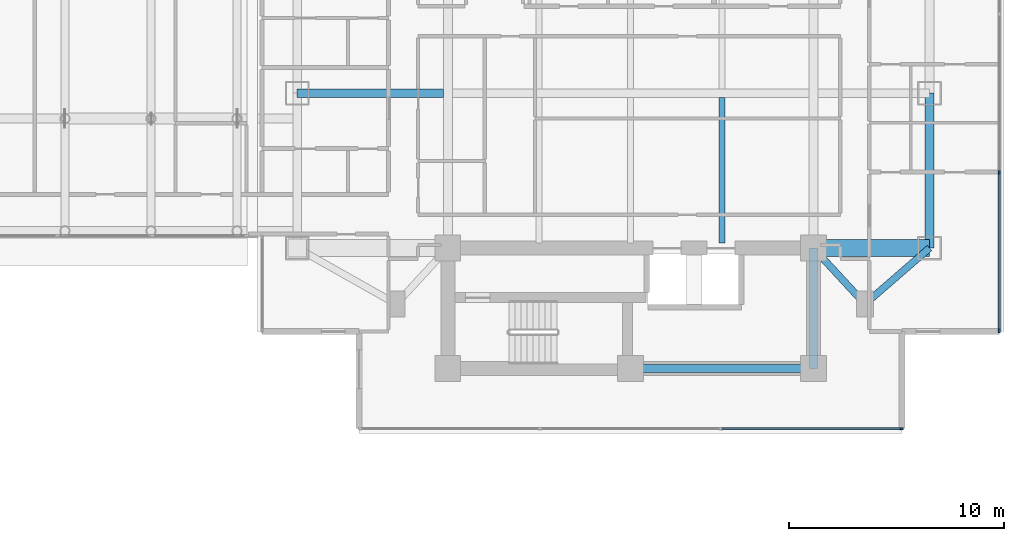
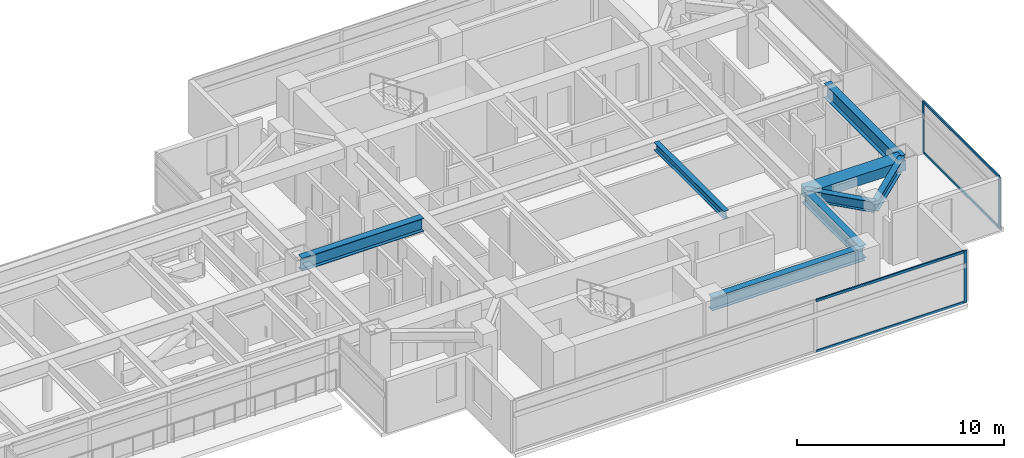
# One storey, part 9 of 29: 8 beams, 7 members, 2 elements without a shape of their own.
"""IFC4 building model written with IfcOpenShell, lengths in metres."""

from ifc_helpers import new_model, si_unit, direction, frame, origin, origin_2d, place, context, subcontext, project, spatial, rectangle, i_section, extrude, material, material_profile, profile_set, type_object, element, aggregate, save


model = new_model("IFC4")

# Units and contexts
model_context = context("Model", 3, precision=1e-05, world=origin(), true_north=direction((0.0, 1.0)))
body_context = subcontext(model_context, "Body", "Model", "MODEL_VIEW")
ifc_project = project(units=[si_unit("LENGTHUNIT", "METRE"), si_unit("AREAUNIT", "SQUARE_METRE"), si_unit("VOLUMEUNIT", "CUBIC_METRE"), si_unit("PLANEANGLEUNIT", "RADIAN"), si_unit("MASSUNIT", "GRAM", prefix="KILO")], contexts=[model_context])

# Site, building, storey
site_placement = place(None, origin())
site = spatial("IfcSite", under=ifc_project, at=site_placement, CompositionType="ELEMENT")
building_placement = place(site_placement, origin())
building = spatial("IfcBuilding", under=site, at=building_placement, Name="Mirazonda Arch Towers", CompositionType="ELEMENT")
storey_placement = place(building_placement, frame((0.0, 0.0, 88.39990234375)))
storey = spatial("IfcBuildingStorey", under=building, at=storey_placement, Name="L24", CompositionType="ELEMENT", Elevation=88.39990234375)

# Beams
ifc_material_1 = material(Name="Steel ASTM A992 Grade 50", Category="steel")
ifc_material_profile_1 = material_profile(ifc_material_1, i_section(OverallWidth=0.39990234375, OverallDepth=0.85595703125, WebThickness=0.018310546875, FlangeThickness=0.029296875, at=origin_2d()), Name="W33X201")
ifc_profile_set_1 = profile_set([ifc_material_profile_1], Name="Steel ASTM A992 Grade 50")
beam_type_1 = type_object("IfcBeamType", Name="BM-EXT-W33X201", PredefinedType="USERDEFINED", material=ifc_profile_set_1)
beam_1_placement = place(storey_placement, frame((90.39990234375, 20.800048828125, 2.652099609375), z_axis=(0.0, 1.0, 0.0), x_axis=(-1.0, 0.0, 0.0)))
element("IfcBeam", 1, at=beam_1_placement, inside=storey, type_object=beam_type_1, Name="L24 Floor Beam BM-T2-L24-NS-E-20", ObjectType="GIRDER", PredefinedType="USERDEFINED", context=body_context, shape_type="SweptSolid", body=[
    extrude(i_section(OverallWidth=0.39990234375, OverallDepth=0.85595703125, WebThickness=0.018310546875, FlangeThickness=0.029296875, at=origin_2d()), origin(), (0.0, 0.0, 1.0), 7.199951171875),
])
ifc_material_profile_2 = material_profile(ifc_material_1, i_section(OverallWidth=0.280029296875, OverallDepth=0.462890625, WebThickness=0.0107421875, FlangeThickness=0.017333984375, at=origin_2d()), Name="W18X76")
ifc_profile_set_2 = profile_set([ifc_material_profile_2], Name="Steel ASTM A992 Grade 50")
beam_type_2 = type_object("IfcBeamType", Name="BM-INT-W18X76", PredefinedType="JOIST", material=ifc_profile_set_2)
beam_2_placement = place(storey_placement, frame((80.75, 21.0400390625, 2.8486328125), z_axis=(0.0, 1.0, 0.0), x_axis=(-1.0, 0.0, 0.0)))
element("IfcBeam", 2, at=beam_2_placement, inside=storey, type_object=beam_type_2, Name="L24 Floor Beam BM-T2-L24-J-807-20", PredefinedType="JOIST", context=body_context, shape_type="SweptSolid", body=[
    extrude(i_section(OverallWidth=0.280029296875, OverallDepth=0.462890625, WebThickness=0.0107421875, FlangeThickness=0.017333984375, at=origin_2d()), origin(), (0.0, 0.0, 1.0), 6.7548828125),
])
ifc_material_profile_3 = material_profile(ifc_material_1, i_section(OverallWidth=0.324951171875, OverallDepth=0.615966796875, WebThickness=0.013916015625, FlangeThickness=0.021484375, at=origin_2d()), Name="W24X117")
ifc_profile_set_3 = profile_set([ifc_material_profile_3], Name="Steel ASTM A992 Grade 50")
beam_type_3 = type_object("IfcBeamType", Name="BM-INT-W24X117", PredefinedType="BEAM", material=ifc_profile_set_3)
beam_3_placement = place(storey_placement, frame((87.39990234375, 18.199951171875, 2.772216796875), z_axis=(-0.678251444854, 0.734829897019, 0.0), x_axis=(-0.734829897019, -0.678251444854, 0.0)))
element("IfcBeam", 3, at=beam_3_placement, inside=storey, type_object=beam_type_3, Name="L24 Floor Beam BM-T2-L24-PL-SE1", PredefinedType="BEAM", context=body_context, shape_type="SweptSolid", body=[
    extrude(i_section(OverallWidth=0.324951171875, OverallDepth=0.615966796875, WebThickness=0.013916015625, FlangeThickness=0.021484375, at=origin_2d()), origin(), (0.0, 0.0, 1.0), 3.538330078125),
])
beam_4_placement = place(storey_placement, frame((87.39990234375, 18.199951171875, 2.772216796875), z_axis=(0.755676908098, 0.654944585876, 0.0), x_axis=(-0.654944585876, 0.755676908098, 0.0)))
element("IfcBeam", 4, at=beam_4_placement, inside=storey, type_object=beam_type_3, Name="L24 Floor Beam BM-T2-L24-PL-SE2", PredefinedType="BEAM", context=body_context, shape_type="SweptSolid", body=[
    extrude(i_section(OverallWidth=0.324951171875, OverallDepth=0.615966796875, WebThickness=0.013916015625, FlangeThickness=0.021484375, at=origin_2d()), origin(), (0.0, 0.0, 1.0), 3.969970703125),
])
ifc_material_profile_4 = material_profile(ifc_material_1, i_section(OverallWidth=0.381103515625, OverallDepth=0.77294921875, WebThickness=0.0166015625, FlangeThickness=0.027099609375, at=origin_2d()), Name="W30X173")
ifc_profile_set_4 = profile_set([ifc_material_profile_4], Name="Steel ASTM A992 Grade 50")
beam_type_4 = type_object("IfcBeamType", Name="BM-INT-W30X173", PredefinedType="USERDEFINED", material=ifc_profile_set_4)
beam_5_placement = place(storey_placement, frame((76.5, 15.199951171875, 2.693603515625), z_axis=(1.0, 0.0, 0.0), x_axis=(0.0, 1.0, 0.0)))
element("IfcBeam", 5, at=beam_5_placement, inside=storey, type_object=beam_type_4, Name="L24 Floor Beam BM-T2-L24-CS2", ObjectType="GIRDER", PredefinedType="USERDEFINED", context=body_context, shape_type="SweptSolid", body=[
    extrude(i_section(OverallWidth=0.381103515625, OverallDepth=0.77294921875, WebThickness=0.0166015625, FlangeThickness=0.027099609375, at=origin_2d()), origin(), (0.0, 0.0, 1.0), 8.5),
])
beam_6_placement = place(storey_placement, frame((85.0, 15.199951171875, 2.693603515625), z_axis=(0.0, 1.0, 0.0), x_axis=(-1.0, 0.0, 0.0)))
element("IfcBeam", 6, at=beam_6_placement, inside=storey, type_object=beam_type_4, Name="L24 Floor Beam BM-T2-L24-CSE", ObjectType="GIRDER", PredefinedType="USERDEFINED", context=body_context, shape_type="SweptSolid", body=[
    extrude(i_section(OverallWidth=0.381103515625, OverallDepth=0.77294921875, WebThickness=0.0166015625, FlangeThickness=0.027099609375, at=origin_2d()), origin(), (0.0, 0.0, 1.0), 5.60009765625),
])
beam_7_placement = place(storey_placement, frame((61.0, 28.0, 2.693603515625), z_axis=(1.0, 0.0, 0.0), x_axis=(0.0, 1.0, 0.0)))
element("IfcBeam", 7, at=beam_7_placement, inside=storey, type_object=beam_type_4, Name="L24 Floor Beam BM-T2-L24-GW2", ObjectType="GIRDER", PredefinedType="USERDEFINED", context=body_context, shape_type="SweptSolid", body=[
    extrude(i_section(OverallWidth=0.381103515625, OverallDepth=0.77294921875, WebThickness=0.0166015625, FlangeThickness=0.027099609375, at=origin_2d()), origin(), (0.0, 0.0, 1.0), 6.791015625),
])
ifc_material_2 = material(Name="Concrete C60/75", Category="concrete")
ifc_material_profile_5 = material_profile(ifc_material_2, rectangle(XDim=0.800048828125, YDim=0.60009765625, at=origin_2d()), Name="RCCB800x600")
ifc_profile_set_5 = profile_set([ifc_material_profile_5], Name="Concrete C60/75")
beam_type_5 = type_object("IfcBeamType", Name="CB-INT-RCCB800x600", PredefinedType="SPANDREL", material=ifc_profile_set_5)
beam_8_placement = place(storey_placement, frame((85.0, 20.800048828125, 2.780029296875), z_axis=(1.0, 0.0, 0.0), x_axis=(0.0, 1.0, 0.0)))
element("IfcBeam", 8, at=beam_8_placement, inside=storey, type_object=beam_type_5, Name="L24 Floor Beam CBC-T2-L24-SE", PredefinedType="SPANDREL", context=body_context, shape_type="SweptSolid", body=[
    extrude(rectangle(XDim=0.800048828125, YDim=0.60009765625, at=origin_2d()), origin(), (0.0, 0.0, 1.0), 5.39990234375),
])

# Curtain wall, member
ifc_material_3 = material(Name="Anodised Aluminium and Low-E Glass", Category="aluminium")
curtain_wall_type = type_object("IfcCurtainWallType", Name="CW-HTL-UNIT", PredefinedType="NOTDEFINED", material=ifc_material_3)
curtain_wall_1_placement = place(storey_placement, origin())
curtain_wall_1 = element("IfcCurtainWall", 9, at=curtain_wall_1_placement, inside=storey, type_object=curtain_wall_type, Name="L24 T2 S Facade CW-L24-T2-S", PredefinedType="NOTDEFINED")
ifc_material_4 = material(Name="Anodised Aluminium Alloy", Category="aluminium")
ifc_material_profile_6 = material_profile(ifc_material_4, rectangle(XDim=0.074951171875, YDim=0.1650390625, at=origin_2d()), Name="ALU-MULL-75x165")
ifc_profile_set_6 = profile_set([ifc_material_profile_6], Name="Anodised Aluminium Alloy")
member_type_1 = type_object("IfcMemberType", Name="MULL-CW-HTL-UNIT", PredefinedType="MULLION", material=ifc_profile_set_6)
member_1_placement = place(storey_placement, frame((89.088623046875, 12.402587890625, 0.0), z_axis=(0.0, 0.0, 1.0), x_axis=(0.0, -1.0, 0.0)))
member_1 = element("IfcMember", 10, at=member_1_placement, type_object=member_type_1, Name="CW-112 mullion 1", PredefinedType="MULLION", context=body_context, shape_type="SweptSolid", body=[
    extrude(rectangle(XDim=0.074951171875, YDim=0.1650390625, at=origin_2d()), origin(), (0.0, 0.0, 1.0), 3.06005859375),
])

# Curtain wall, members
curtain_wall_2_placement = place(storey_placement, origin())
curtain_wall_2 = element("IfcCurtainWall", 11, at=curtain_wall_2_placement, inside=storey, type_object=curtain_wall_type, Name="L24 T2 E Facade CW-L24-T2-E", PredefinedType="NOTDEFINED")
member_2_placement = place(storey_placement, frame((93.642578125, 16.956298828125, 0.0), z_axis=(0.0, 0.0, 1.0), x_axis=(-1.0, 0.0, 0.0)))
member_2 = element("IfcMember", 12, at=member_2_placement, type_object=member_type_1, Name="CW-112 mullion 1", PredefinedType="MULLION", context=body_context, shape_type="SweptSolid", body=[
    extrude(rectangle(XDim=0.074951171875, YDim=0.1650390625, at=origin_2d()), origin(), (0.0, 0.0, 1.0), 3.06005859375),
])
member_3_placement = place(storey_placement, frame((93.642578125, 24.30615234375, 0.0), z_axis=(0.0, 0.0, 1.0), x_axis=(-1.0, 0.0, 0.0)))
member_3 = element("IfcMember", 13, at=member_3_placement, type_object=member_type_1, Name="CW-112 mullion 2", PredefinedType="MULLION", context=body_context, shape_type="SweptSolid", body=[
    extrude(rectangle(XDim=0.074951171875, YDim=0.1650390625, at=origin_2d()), origin(), (0.0, 0.0, 1.0), 3.06005859375),
])

# Member
ifc_material_profile_7 = material_profile(ifc_material_4, rectangle(XDim=0.074951171875, YDim=0.14501953125, at=origin_2d()), Name="ALU-TRAN-75x145")
ifc_profile_set_7 = profile_set([ifc_material_profile_7], Name="Anodised Aluminium Alloy")
member_type_2 = type_object("IfcMemberType", Name="TRAN-CW-HTL-UNIT", PredefinedType="USERDEFINED", material=ifc_profile_set_7)
member_4_placement = place(storey_placement, frame((89.05126953125, 12.402587890625, 0.03759765625), z_axis=(-1.0, 0.0, 0.0), x_axis=(0.0, -1.0, 0.0)))
member_4 = element("IfcMember", 14, at=member_4_placement, type_object=member_type_2, Name="CW-112 transom 1.1", ObjectType="TRANSOM", PredefinedType="USERDEFINED", context=body_context, shape_type="SweptSolid", body=[
    extrude(rectangle(XDim=0.074951171875, YDim=0.14501953125, at=origin_2d()), origin(), (0.0, 0.0, 1.0), 8.304931640625),
])

member_5_placement = place(storey_placement, frame((89.05126953125, 12.402587890625, 3.022705078125), z_axis=(-1.0, 0.0, 0.0), x_axis=(0.0, -1.0, 0.0)))
member_5 = element("IfcMember", 15, at=member_5_placement, type_object=member_type_2, Name="CW-112 transom 1.2", ObjectType="TRANSOM", PredefinedType="USERDEFINED", context=body_context, shape_type="SweptSolid", body=[
    extrude(rectangle(XDim=0.074951171875, YDim=0.14501953125, at=origin_2d()), origin(), (0.0, 0.0, 1.0), 8.304931640625),
])

aggregate(curtain_wall_1, [member_1, member_4, member_5])

member_6_placement = place(storey_placement, frame((93.642578125, 16.993896484375, 0.03759765625), z_axis=(0.0, 1.0, 0.0), x_axis=(-1.0, 0.0, 0.0)))
member_6 = element("IfcMember", 16, at=member_6_placement, type_object=member_type_2, Name="CW-112 transom 1.1", ObjectType="TRANSOM", PredefinedType="USERDEFINED", context=body_context, shape_type="SweptSolid", body=[
    extrude(rectangle(XDim=0.074951171875, YDim=0.14501953125, at=origin_2d()), origin(), (0.0, 0.0, 1.0), 7.27490234375),
])

member_7_placement = place(storey_placement, frame((93.642578125, 16.993896484375, 3.022705078125), z_axis=(0.0, 1.0, 0.0), x_axis=(-1.0, 0.0, 0.0)))
member_7 = element("IfcMember", 17, at=member_7_placement, type_object=member_type_2, Name="CW-112 transom 1.2", ObjectType="TRANSOM", PredefinedType="USERDEFINED", context=body_context, shape_type="SweptSolid", body=[
    extrude(rectangle(XDim=0.074951171875, YDim=0.14501953125, at=origin_2d()), origin(), (0.0, 0.0, 1.0), 7.27490234375),
])

aggregate(curtain_wall_2, [member_2, member_3, member_6, member_7])

save(model, "model.ifc")
